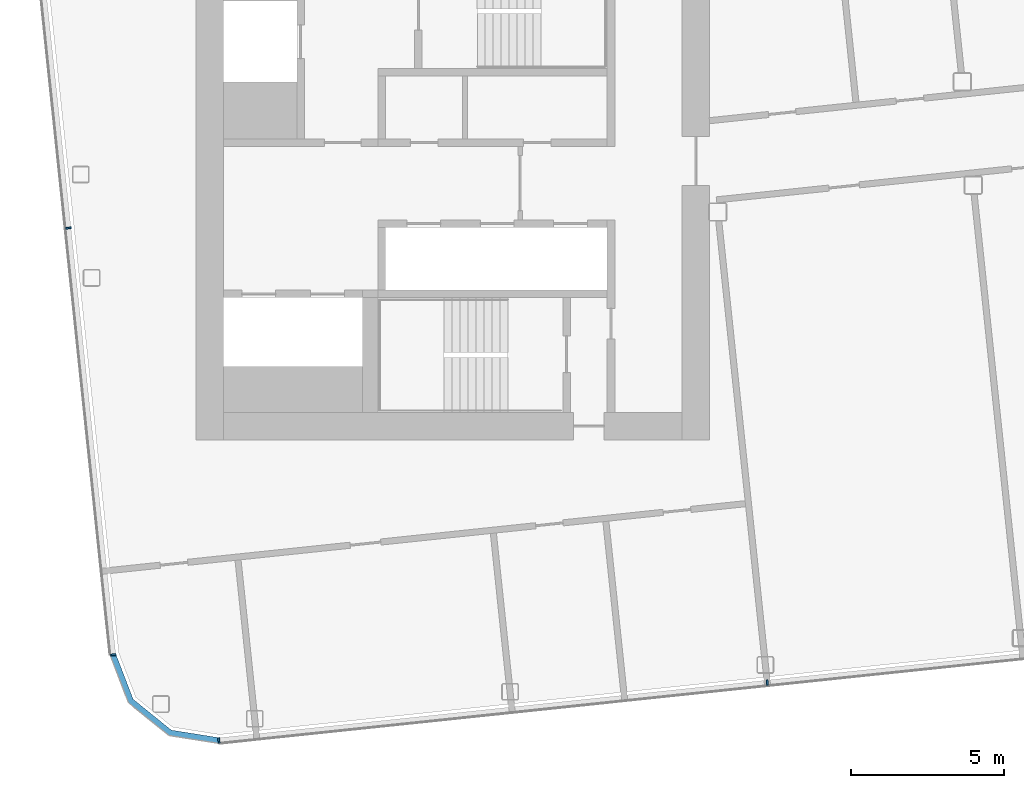
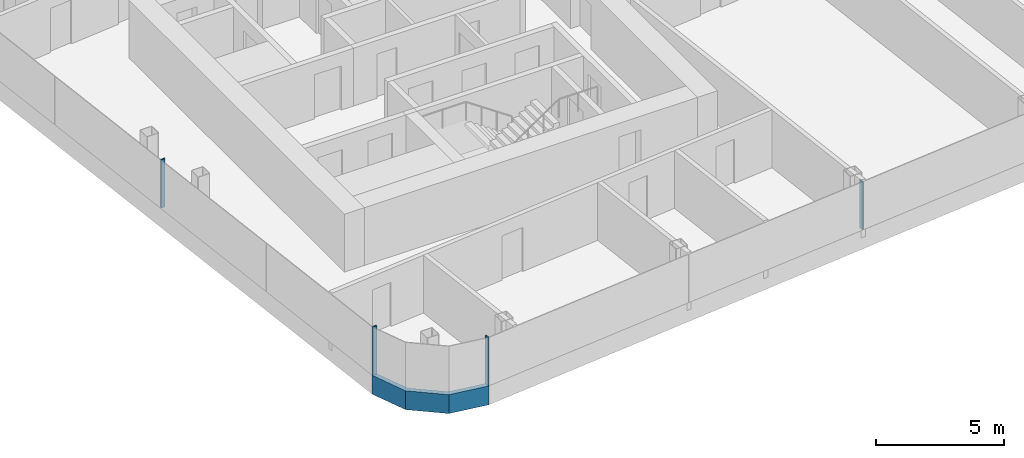
# One storey, part 3 of 26: 5 members, 3 elements without a shape of their own.
"""IFC4 building model written with IfcOpenShell, lengths in metres."""

import ifcopenshell
import ifcopenshell.guid

model = None  # the IFC model being written
_history = None  # IfcOwnerHistory: only IFC2X3 demands one
_inside = {}  # id of a spatial element -> (the spatial element, [elements in it])
_under = {}  # id of a project, library or spatial element -> (it, [spatial elements below it])
_declared = {}  # id of a project -> (the project, [libraries it declares])
_typed = {}  # id of a type object -> (the type object, [elements of that type])
_made_of = {}  # id of a material, layer set ... -> (it, [elements and type objects made of it])


def new_model(schema):
    """Start an empty IFC model of exactly this schema.

    Asked for "IFC4X3", IfcOpenShell would pick the latest addendum, in which some entities
    have other attributes; the version numbers below select the first issue.
    IFC2X3 requires an IfcOwnerHistory on every rooted entity: one is made here for all.
    """
    global model, _history
    if schema == "IFC4X3":
        model = ifcopenshell.file(schema_version=(4, 3, 0, 0))
    else:
        model = ifcopenshell.file(schema=schema)
    _inside.clear()
    _under.clear()
    _declared.clear()
    _typed.clear()
    _made_of.clear()
    _history = None
    if model.schema == "IFC2X3":
        org = make("IfcOrganization", Name="unknown")
        user = make(
            "IfcPersonAndOrganization",
            ThePerson=make("IfcPerson", FamilyName="unknown"),
            TheOrganization=org,
        )
        app = make(
            "IfcApplication",
            ApplicationDeveloper=org,
            Version="unknown",
            ApplicationFullName="unknown",
            ApplicationIdentifier="unknown",
        )
        _history = make(
            "IfcOwnerHistory",
            OwningUser=user,
            OwningApplication=app,
            ChangeAction="ADDED",
            CreationDate=0,
        )
    return model


def make(cls, **values):
    """One entity of the class cls with the attributes given. An attribute that is None is left unset."""
    return model.create_entity(
        cls, **{name: value for name, value in values.items() if value is not None}
    )


def rooted(cls, **values):
    """An entity with a GlobalId (a new one), such as an element, a storey or a relation."""
    return make(cls, GlobalId=ifcopenshell.guid.new(), OwnerHistory=_history, **values)


def si_unit(unit_type, name, prefix=None):
    """IfcSIUnit, for example si_unit("LENGTHUNIT", "METRE", prefix="MILLI")."""
    return make("IfcSIUnit", UnitType=unit_type, Prefix=prefix, Name=name)


def assignment(units):
    """IfcUnitAssignment: the units of a project."""
    return None if units is None else make("IfcUnitAssignment", Units=units)


def point(xyz):
    """IfcCartesianPoint."""
    return None if xyz is None else make("IfcCartesianPoint", Coordinates=xyz)


def direction(xyz):
    """IfcDirection."""
    return None if xyz is None else make("IfcDirection", DirectionRatios=xyz)


def frame(location, z_axis=None, x_axis=None):
    """IfcAxis2Placement3D, a coordinate frame: its origin and axes. An axis left out is left unset."""
    return make(
        "IfcAxis2Placement3D",
        Location=point(location),
        Axis=direction(z_axis),
        RefDirection=direction(x_axis),
    )


def frame_2d(location, x_axis=None):
    """IfcAxis2Placement2D, a coordinate frame in the plane: its origin and x axis."""
    return make(
        "IfcAxis2Placement2D", Location=point(location), RefDirection=direction(x_axis)
    )


def origin():
    """The frame at (0, 0, 0) with its axes left unset."""
    return frame((0.0, 0.0, 0.0))


def origin_2d():
    """The frame at (0, 0) in the plane with its x axis left unset."""
    return frame_2d((0.0, 0.0))


def place(relative_to, where):
    """IfcLocalPlacement: puts the frame where relative to a parent placement (None: the world)."""
    return make(
        "IfcLocalPlacement", PlacementRelTo=relative_to, RelativePlacement=where
    )


def context(
    kind, dimensions, precision=None, world=None, true_north=None, identifier=None
):
    """IfcGeometricRepresentationContext, for example the 3D "Model" context."""
    return make(
        "IfcGeometricRepresentationContext",
        ContextIdentifier=identifier,
        ContextType=kind,
        CoordinateSpaceDimension=dimensions,
        Precision=precision,
        WorldCoordinateSystem=world,
        TrueNorth=true_north,
    )


def subcontext(parent, identifier, kind, view, scale=None):
    """IfcGeometricRepresentationSubContext, for example "Body" below "Model"."""
    return make(
        "IfcGeometricRepresentationSubContext",
        ContextIdentifier=identifier,
        ContextType=kind,
        ParentContext=parent,
        TargetScale=scale,
        TargetView=view,
    )


def project(units=None, contexts=None):
    """IfcProject with its units and contexts."""
    return rooted(
        "IfcProject",
        Name="project",
        RepresentationContexts=contexts,
        UnitsInContext=assignment(units),
    )


def spatial(cls, under=None, at=None, **own):
    """A site, building, storey or space (cls), placed at a placement, below another one or the project."""
    s = rooted(cls, ObjectPlacement=at, **own)
    if under is not None:
        _under.setdefault(under.id(), (under, []))[1].append(s)
    return s


def polyline(points):
    """IfcPolyline through the points."""
    return make("IfcPolyline", Points=[point(p) for p in points])


def profile(cls, at=None, kind="AREA", **sizes):
    """A parametric profile (cls). Its sizes go by their IFC names, for example OverallWidth=200.0."""
    return make(cls, ProfileType=kind, Position=at, **sizes)


def rectangle(**sizes):
    """IfcRectangleProfileDef."""
    return profile("IfcRectangleProfileDef", **sizes)


def outline(outer, holes=None, kind="AREA"):
    """IfcArbitraryClosedProfileDef: a profile drawn as a closed curve; with holes, ...WithVoids."""
    if holes is None:
        return make("IfcArbitraryClosedProfileDef", ProfileType=kind, OuterCurve=outer)
    return make(
        "IfcArbitraryProfileDefWithVoids",
        ProfileType=kind,
        OuterCurve=outer,
        InnerCurves=holes,
    )


def extrude(swept, where, along, depth):
    """IfcExtrudedAreaSolid: the profile swept, set in the frame where, extruded along a direction by depth."""
    return make(
        "IfcExtrudedAreaSolid",
        SweptArea=swept,
        Position=where,
        ExtrudedDirection=direction(along),
        Depth=depth,
    )


def shape(context_of_items, identifier, shape_type, items):
    """IfcShapeRepresentation: the items that make up one representation, for example the "Body"."""
    return make(
        "IfcShapeRepresentation",
        ContextOfItems=context_of_items,
        RepresentationIdentifier=identifier,
        RepresentationType=shape_type,
        Items=items,
    )


def material(Name=None, Category=None):
    """IfcMaterial."""
    return make("IfcMaterial", Name=Name, Category=Category)


def layer(
    of_material, thickness, ventilated=None, Name=None, Category=None, Priority=None
):
    """IfcMaterialLayer: one layer of a wall or slab, of a material (None: an air gap)."""
    return make(
        "IfcMaterialLayer",
        Material=of_material,
        LayerThickness=thickness,
        IsVentilated=ventilated,
        Name=Name,
        Category=Category,
        Priority=Priority,
    )


def layer_set(layers, Name=None):
    """IfcMaterialLayerSet."""
    return make("IfcMaterialLayerSet", MaterialLayers=layers, LayerSetName=Name)


def material_profile(
    of_material, cross_section, Name=None, Category=None, Priority=None
):
    """IfcMaterialProfile: a cross section and its material."""
    return make(
        "IfcMaterialProfile",
        Name=Name,
        Material=of_material,
        Profile=cross_section,
        Priority=Priority,
        Category=Category,
    )


def profile_set(profiles, Name=None, composite=None):
    """IfcMaterialProfileSet."""
    return make(
        "IfcMaterialProfileSet",
        Name=Name,
        MaterialProfiles=profiles,
        CompositeProfile=composite,
    )


def made_of(thing, what):
    """Note that an element or type object is made of a material, layer set ...; save() writes the relation."""
    if what is not None:
        _made_of.setdefault(what.id(), (what, []))[1].append(thing)
    return thing


def type_object(cls, material=None, **own):
    """A type object (cls), such as IfcWallType, which elements share."""
    return made_of(rooted(cls, **own), material)


def element(
    cls,
    number,
    at=None,
    inside=None,
    cuts=None,
    type_object=None,
    material=None,
    context=None,
    identifier="Body",
    shape_type=None,
    held_by="IfcProductDefinitionShape",
    body=None,
    shapes=None,
    **own,
):
    """One element of the class cls, such as IfcWall. Its Tag is "e" and its number.

    at: its placement. inside: the storey or other place that contains it. cuts: it is an
    opening in that element (IfcRelVoidsElement). A single representation is given by context,
    identifier, shape_type and body (its items); several are given by shapes. held_by: the class
    of the entity that holds the representations. save() writes the other relations.
    """
    e = rooted(cls, Tag="e%d" % number, ObjectPlacement=at, **own)
    if body is not None:
        shapes = [shape(context, identifier, shape_type, body)]
    if shapes is not None:
        e.Representation = make(held_by, Representations=shapes)
    if inside is not None:
        _inside.setdefault(inside.id(), (inside, []))[1].append(e)
    if cuts is not None:
        rooted(
            "IfcRelVoidsElement", RelatingBuildingElement=cuts, RelatedOpeningElement=e
        )
    if type_object is not None:
        _typed.setdefault(type_object.id(), (type_object, []))[1].append(e)
    return made_of(e, material)


def aggregate(whole, parts):
    """IfcRelAggregates: a whole, such as a stair, and the parts it consists of."""
    return rooted("IfcRelAggregates", RelatingObject=whole, RelatedObjects=parts)


def save(model, path):
    """Write the relations noted so far, then the file.

    IfcRelAggregates (storeys below a building ...), IfcRelContainedInSpatialStructure (elements
    in a storey), IfcRelDefinesByType, IfcRelAssociatesMaterial and IfcRelDeclares: one each for
    every whole, place, type object, material and project.
    """
    for whole, parts in _under.values():
        aggregate(whole, parts)
    for where, things in _inside.values():
        rooted(
            "IfcRelContainedInSpatialStructure",
            RelatedElements=things,
            RelatingStructure=where,
        )
    for kind, things in _typed.values():
        rooted("IfcRelDefinesByType", RelatedObjects=things, RelatingType=kind)
    for what, things in _made_of.values():
        rooted("IfcRelAssociatesMaterial", RelatedObjects=things, RelatingMaterial=what)
    for by, libraries in _declared.values():
        rooted("IfcRelDeclares", RelatingContext=by, RelatedDefinitions=libraries)
    model.write(path)


model = new_model("IFC4")

# Units and contexts
model_context = context("Model", 3, precision=1e-05, world=origin(), true_north=direction((0.0, 1.0)))
body_context = subcontext(model_context, "Body", "Model", "MODEL_VIEW")
ifc_project = project(units=[si_unit("LENGTHUNIT", "METRE"), si_unit("AREAUNIT", "SQUARE_METRE"), si_unit("VOLUMEUNIT", "CUBIC_METRE"), si_unit("PLANEANGLEUNIT", "RADIAN"), si_unit("MASSUNIT", "GRAM", prefix="KILO")], contexts=[model_context])

# Site, building, storey
site_placement = place(None, origin())
site = spatial("IfcSite", under=ifc_project, at=site_placement, CompositionType="ELEMENT")
building_placement = place(site_placement, origin())
building = spatial("IfcBuilding", under=site, at=building_placement, Name="Hakoniwa Tower and Hamabe Station Hall", CompositionType="ELEMENT")
storey_placement = place(building_placement, frame((0.0, 0.0, 251.800048828125)))
storey = spatial("IfcBuildingStorey", under=building, at=storey_placement, Name="L71", CompositionType="ELEMENT", Elevation=251.800048828125)

# Curtain wall, member
ifc_material_1 = material(Name="Dark low-e laminated glass", Category="glass")
ifc_layer = layer(ifc_material_1, 0.199951171875)
ifc_layer_set = layer_set([ifc_layer], Name="CW-1 UNITISED GUEST")
curtain_wall_type = type_object("IfcCurtainWallType", Name="CW-1 UNITISED GUEST", PredefinedType="NOTDEFINED", material=ifc_layer_set)
curtain_wall_1_placement = place(storey_placement, origin())
curtain_wall_1 = element("IfcCurtainWall", 1, at=curtain_wall_1_placement, inside=storey, type_object=curtain_wall_type, Name="CW-1 curtain wall", PredefinedType="NOTDEFINED")
ifc_material_2 = material(Name="Aluminium 6063-T5 black anodised", Category="aluminium")
ifc_material_profile_1 = material_profile(ifc_material_2, rectangle(XDim=0.199951171875, YDim=0.89990234375, at=origin_2d()), Name="CW SLAB-EDGE BAND 900X200")
ifc_profile_set_1 = profile_set([ifc_material_profile_1], Name="Aluminium 6063-T5 black anodised")
member_type_1 = type_object("IfcMemberType", Name="CW SLAB-EDGE BAND 900X200", PredefinedType="USERDEFINED", material=ifc_profile_set_1)
member_1_placement = place(storey_placement, frame((0.0, 0.0, -0.550048828125)))
member_1 = element("IfcMember", 2, at=member_1_placement, type_object=member_type_1, Name="CW-1 transom", ObjectType="TRANSOM", PredefinedType="USERDEFINED", context=body_context, shape_type="SweptSolid", body=[
    extrude(outline(polyline([(-36.423828125, -15.445068359375), (-35.82421875, -17.0068359375), (-34.492431640625, -18.085205078125), (-32.84033203125, -18.346923828125), (-32.80908203125, -18.1494140625), (-34.408203125, -17.89599609375), (-35.65673828125, -16.885009765625), (-36.237060546875, -15.37353515625), (-36.423828125, -15.445068359375)])), origin(), (0.0, 0.0, 1.0), 0.89990234375),
])
aggregate(curtain_wall_1, [member_1])

# Curtain wall, members
curtain_wall_2_placement = place(storey_placement, origin())
curtain_wall_2 = element("IfcCurtainWall", 3, at=curtain_wall_2_placement, inside=storey, type_object=curtain_wall_type, Name="CW-1 curtain wall", PredefinedType="NOTDEFINED")
ifc_material_3 = material(Name="Aluminium 6063-T5 black anodised", Category="aluminium")
ifc_material_profile_2 = material_profile(ifc_material_3, rectangle(XDim=0.06005859375, YDim=0.179931640625, at=origin_2d()), Name="CW-1 MULLION 60X180")
ifc_profile_set_2 = profile_set([ifc_material_profile_2], Name="Aluminium 6063-T5 black anodised")
member_type_2 = type_object("IfcMemberType", Name="CW-1 MULLION 60X180", PredefinedType="MULLION", material=ifc_profile_set_2)
member_2_placement = place(storey_placement, frame((-37.77392578125, -1.47021484375, 0.349853515625), z_axis=(0.0, 0.0, 1.0), x_axis=(0.104528468631, -0.994521894805, 0.0)))
member_2 = element("IfcMember", 4, at=member_2_placement, type_object=member_type_2, Name="CW-1 mullion", PredefinedType="MULLION", context=body_context, shape_type="SweptSolid", body=[
    extrude(rectangle(XDim=0.06005859375, YDim=0.179931640625, at=origin_2d()), origin(), (0.0, 0.0, 1.0), 2.300048828125),
])
member_3_placement = place(storey_placement, frame((-36.306396484375, -15.432861328125, 0.349853515625), z_axis=(0.0, 0.0, 1.0), x_axis=(0.104528468631, -0.994521894805, 0.0)))
member_3 = element("IfcMember", 5, at=member_3_placement, type_object=member_type_2, Name="CW-1 mullion", PredefinedType="MULLION", context=body_context, shape_type="SweptSolid", body=[
    extrude(rectangle(XDim=0.06005859375, YDim=0.179931640625, at=origin_2d()), origin(), (0.0, 0.0, 1.0), 2.300048828125),
])
aggregate(curtain_wall_2, [member_2, member_3])

curtain_wall_3_placement = place(storey_placement, origin())
curtain_wall_3 = element("IfcCurtainWall", 6, at=curtain_wall_3_placement, inside=storey, type_object=curtain_wall_type, Name="CW-1 curtain wall", PredefinedType="NOTDEFINED")
member_4_placement = place(storey_placement, frame((-32.8525390625, -18.2294921875, 0.349853515625), z_axis=(0.0, 0.0, 1.0), x_axis=(0.994521895272, 0.104528464188, 0.0)))
member_4 = element("IfcMember", 7, at=member_4_placement, type_object=member_type_2, Name="CW-1 mullion", PredefinedType="MULLION", context=body_context, shape_type="SweptSolid", body=[
    extrude(rectangle(XDim=0.06005859375, YDim=0.179931640625, at=origin_2d()), origin(), (0.0, 0.0, 1.0), 2.300048828125),
])
member_5_placement = place(storey_placement, frame((-14.911865234375, -16.343994140625, 0.349853515625), z_axis=(0.0, 0.0, 1.0), x_axis=(0.994521895272, 0.104528464188, 0.0)))
member_5 = element("IfcMember", 8, at=member_5_placement, type_object=member_type_2, Name="CW-1 mullion", PredefinedType="MULLION", context=body_context, shape_type="SweptSolid", body=[
    extrude(rectangle(XDim=0.06005859375, YDim=0.179931640625, at=origin_2d()), origin(), (0.0, 0.0, 1.0), 2.300048828125),
])
aggregate(curtain_wall_3, [member_4, member_5])

save(model, "model.ifc")
